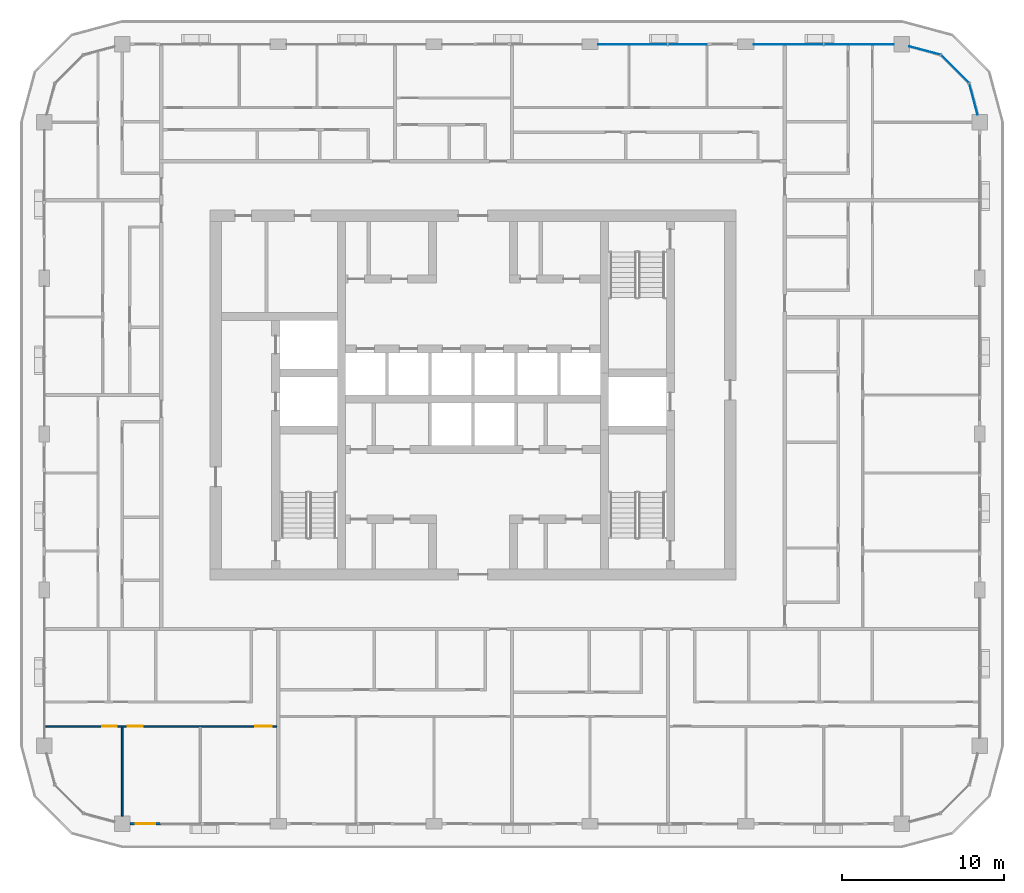
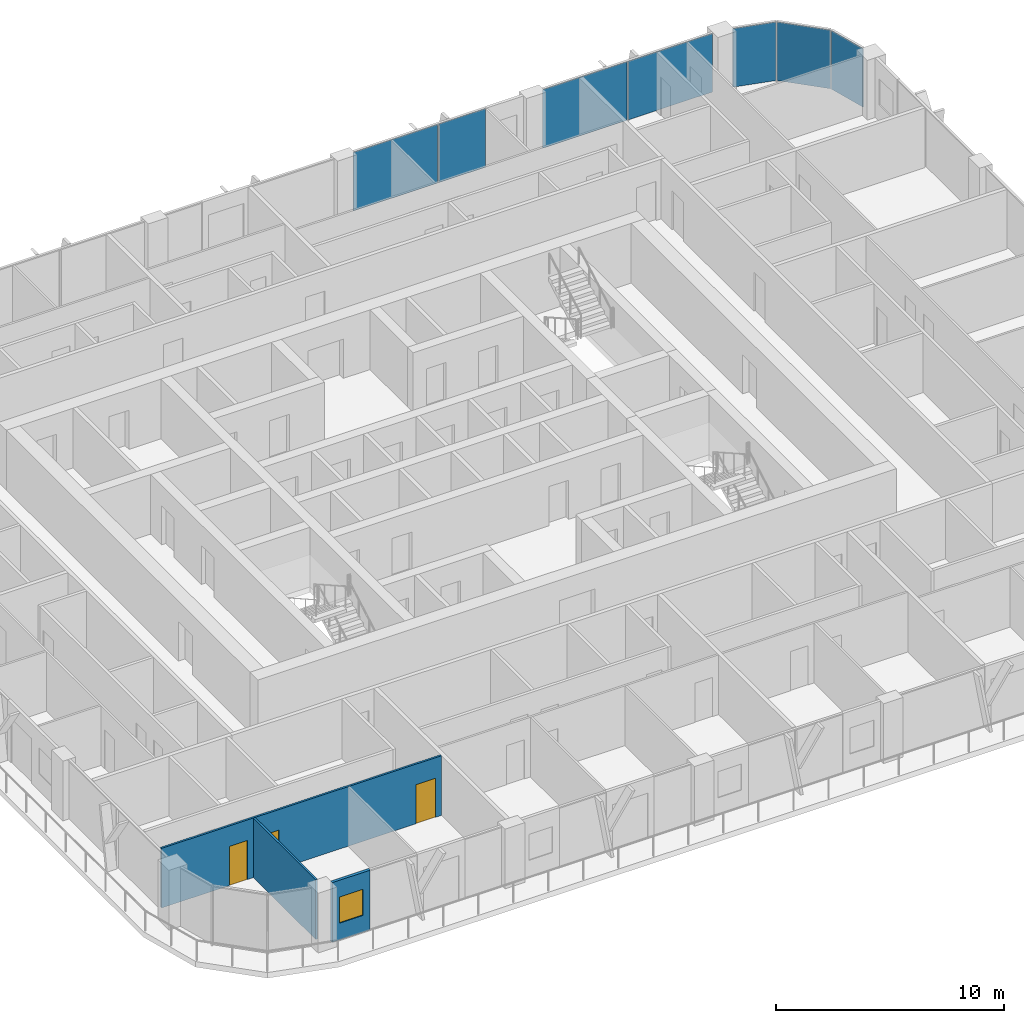
# One storey, part 8 of 22: 7 plates, 3 doors, 3 walls, 1 window, 4 openings, 3 elements without a shape of their own.
"""IFC4 building model written with IfcOpenShell, lengths in metres."""

from ifc_helpers import new_model, si_unit, direction, frame, frame_2d, origin, origin_2d, place, context, subcontext, project, spatial, rectangle, extrude, material, layer, layer_set, type_object, element, fill, aggregate, save


model = new_model("IFC4")

# Units and contexts
model_context = context("Model", 3, precision=1e-05, world=origin(), true_north=direction((0.0, 1.0)))
body_context = subcontext(model_context, "Body", "Model", "MODEL_VIEW")
ifc_project = project(units=[si_unit("LENGTHUNIT", "METRE"), si_unit("AREAUNIT", "SQUARE_METRE"), si_unit("VOLUMEUNIT", "CUBIC_METRE"), si_unit("PLANEANGLEUNIT", "RADIAN"), si_unit("MASSUNIT", "GRAM", prefix="KILO")], contexts=[model_context])

# Site, building, storey
site_placement = place(None, origin())
site = spatial("IfcSite", under=ifc_project, at=site_placement, CompositionType="ELEMENT")
building_placement = place(site_placement, origin())
building = spatial("IfcBuilding", under=site, at=building_placement, Name="Madar Terraces", CompositionType="ELEMENT")
storey_placement = place(building_placement, frame((0.0, 0.0, 178.89990234375)))
storey = spatial("IfcBuildingStorey", under=building, at=storey_placement, Name="L46", CompositionType="ELEMENT", Elevation=178.89990234375)

# Curtain wall, plates
ifc_material_1 = material(Name="Glass, ceramic frit dark grey, with black aluminium frame", Category="aluminium")
ifc_layer_1 = layer(ifc_material_1, 0.199951171875)
ifc_layer_set_1 = layer_set([ifc_layer_1], Name="Facade curtain wall, fritted glass")
curtain_wall_type = type_object("IfcCurtainWallType", Name="Facade curtain wall, fritted glass", PredefinedType="NOTDEFINED", material=ifc_layer_set_1)
curtain_wall_1_placement = place(storey_placement, origin())
curtain_wall_1 = element("IfcCurtainWall", 1, at=curtain_wall_1_placement, inside=storey, type_object=curtain_wall_type, Name="Outer skin curtain wall north bay 1", PredefinedType="NOTDEFINED")
ifc_material_2 = material(Name="Glass, ceramic frit dark grey", Category="glass")
ifc_layer_2 = layer(ifc_material_2, 0.028076171875)
ifc_layer_set_2 = layer_set([ifc_layer_2], Name="Facade glass panel 28")
plate_type = type_object("IfcPlateType", Name="Facade glass panel 28", PredefinedType="CURTAIN_PANEL", material=ifc_layer_set_2)
plate_1_placement = place(storey_placement, frame((54.9775390625, 48.0, 0.0), z_axis=(0.0, 0.0, 1.0), x_axis=(-1.0, 0.0, 0.0)))
plate_1 = element("IfcPlate", 2, at=plate_1_placement, type_object=plate_type, Name="Panel 1", PredefinedType="CURTAIN_PANEL", context=body_context, shape_type="SweptSolid", body=[
    extrude(rectangle(XDim=4.294921875, YDim=0.028076171875, at=origin_2d()), origin(), (0.0, 0.0, 1.0), 3.139892578125),
])
plate_2_placement = place(storey_placement, frame((50.635009765625, 48.0, 0.0), z_axis=(0.0, 0.0, 1.0), x_axis=(-1.0, 0.0, 0.0)))
plate_2 = element("IfcPlate", 3, at=plate_2_placement, type_object=plate_type, Name="Panel 2", PredefinedType="CURTAIN_PANEL", context=body_context, shape_type="SweptSolid", body=[
    extrude(rectangle(XDim=4.27001953125, YDim=0.028076171875, at=origin_2d()), origin(), (0.0, 0.0, 1.0), 3.139892578125),
])
aggregate(curtain_wall_1, [plate_1, plate_2])

curtain_wall_2_placement = place(storey_placement, origin())
curtain_wall_2 = element("IfcCurtainWall", 4, at=curtain_wall_2_placement, inside=storey, type_object=curtain_wall_type, Name="Outer skin curtain wall north bay 2", PredefinedType="NOTDEFINED")
plate_3_placement = place(storey_placement, frame((44.4150390625, 48.0, 0.0), z_axis=(0.0, 0.0, 1.0), x_axis=(-1.0, 0.0, 0.0)))
plate_3 = element("IfcPlate", 5, at=plate_3_placement, type_object=plate_type, Name="Panel 1", PredefinedType="CURTAIN_PANEL", context=body_context, shape_type="SweptSolid", body=[
    extrude(rectangle(XDim=2.3701171875, YDim=0.028076171875, at=origin_2d()), origin(), (0.0, 0.0, 1.0), 3.139892578125),
])
plate_4_placement = place(storey_placement, frame((41.034912109375, 48.0, 0.0), z_axis=(0.0, 0.0, 1.0), x_axis=(-1.0, 0.0, 0.0)))
plate_4 = element("IfcPlate", 6, at=plate_4_placement, type_object=plate_type, Name="Panel 2", PredefinedType="CURTAIN_PANEL", context=body_context, shape_type="SweptSolid", body=[
    extrude(rectangle(XDim=4.27001953125, YDim=0.028076171875, at=origin_2d()), origin(), (0.0, 0.0, 1.0), 3.139892578125),
])
aggregate(curtain_wall_2, [plate_3, plate_4])

curtain_wall_3_placement = place(storey_placement, origin())
curtain_wall_3 = element("IfcCurtainWall", 7, at=curtain_wall_3_placement, inside=storey, type_object=curtain_wall_type, Name="Outer skin curtain wall north-east corner", PredefinedType="NOTDEFINED")
plate_5_placement = place(storey_placement, frame((62.018798828125, 44.623046875, 0.0), z_axis=(0.0, 0.0, 1.0), x_axis=(-0.258819021888, 0.965925832509, 0.0)))
plate_5 = element("IfcPlate", 8, at=plate_5_placement, type_object=plate_type, Name="Panel 1", PredefinedType="CURTAIN_PANEL", context=body_context, shape_type="SweptSolid", body=[
    extrude(rectangle(XDim=1.962890625, YDim=0.028076171875, at=origin_2d()), origin(), (0.0, 0.0, 1.0), 3.139892578125),
])
plate_6_placement = place(storey_placement, frame((60.87841796875, 46.478515625, 0.0), z_axis=(0.0, 0.0, 1.0), x_axis=(-0.707106781187, 0.707106781187, 0.0)))
plate_6 = element("IfcPlate", 9, at=plate_6_placement, type_object=plate_type, Name="Panel 2", PredefinedType="CURTAIN_PANEL", context=body_context, shape_type="SweptSolid", body=[
    extrude(rectangle(XDim=2.424560546875, YDim=0.028076171875, at=origin_2d()), origin(), (0.0, 0.0, 1.0), 3.139892578125),
])
plate_7_placement = place(storey_placement, frame((59.02294921875, 47.61865234375, 0.0), z_axis=(0.0, 0.0, 1.0), x_axis=(-0.965925832509, 0.258819021888, 0.0)))
plate_7 = element("IfcPlate", 10, at=plate_7_placement, type_object=plate_type, Name="Panel 3", PredefinedType="CURTAIN_PANEL", context=body_context, shape_type="SweptSolid", body=[
    extrude(rectangle(XDim=1.962890625, YDim=0.028076171875, at=origin_2d()), origin(), (0.0, 0.0, 1.0), 3.139892578125),
])
aggregate(curtain_wall_3, [plate_5, plate_6, plate_7])

# Wall, opening, window
ifc_material_3 = material(Name="Aluminium composite panel, black, over insulated backing", Category="aluminium")
ifc_layer_3 = layer(ifc_material_3, 0.14990234375)
ifc_layer_set_3 = layer_set([ifc_layer_3], Name="Facade bay panel 150")
wall_type_1 = type_object("IfcWallType", Name="Facade bay panel 150", PredefinedType="SOLIDWALL", material=ifc_layer_set_3)
wall_1_placement = place(storey_placement, frame((10.074951171875, 0.0, 0.0), z_axis=(0.0, 0.0, 1.0), x_axis=(1.0, 0.0, 0.0)))
wall_1 = element("IfcWall", 11, at=wall_1_placement, inside=storey, type_object=wall_type_1, Name="Facade bay panel", PredefinedType="SOLIDWALL", context=body_context, shape_type="SweptSolid", body=[
    extrude(rectangle(XDim=1.925048828125, YDim=0.14990234375, at=frame_2d((0.96240234375, 0.0))), origin(), (0.0, 0.0, 1.0), 3.2001953125),
])
opening_1_placement = place(wall_1_placement, frame((0.362548828125, 0.0, 0.89990234375)))
opening_1 = element("IfcOpeningElement", 12, at=opening_1_placement, cuts=wall_1, Name="Opening W1", PredefinedType="OPENING", context=body_context, shape_type="SweptSolid", body=[
    extrude(rectangle(XDim=1.199951171875, YDim=1.39990234375, at=frame_2d((0.60009765625, 0.699951171875))), frame((0.0, 0.0849609375, 0.0), z_axis=(0.0, -1.0, 0.0), x_axis=(1.0, 0.0, 0.0)), (0.0, 0.0, 1.0), 0.169921875),
])
ifc_material_4 = material(Name="Glass, clear, with black aluminium frame", Category="aluminium")
window_type = type_object("IfcWindowType", Name="Vent window 1200 x 1400", PartitioningType="SINGLE_PANEL", PredefinedType="WINDOW", material=ifc_material_4)
window_placement = place(opening_1_placement, origin())
window = element("IfcWindow", 13, at=window_placement, inside=storey, type_object=window_type, Name="Operable vent window", OverallHeight=1.39990234375, OverallWidth=1.199951171875, PartitioningType="SINGLE_PANEL", PredefinedType="WINDOW", context=body_context, shape_type="SweptSolid", body=[
    extrude(rectangle(XDim=1.199951171875, YDim=1.39990234375, at=frame_2d((0.60009765625, 0.699951171875))), frame((0.0, 0.030029296875, 0.0), z_axis=(0.0, -1.0, 0.0), x_axis=(1.0, 0.0, 0.0)), (0.0, 0.0, 1.0), 0.06005859375),
])
fill(opening_1, window)

# Wall
ifc_material_5 = material(Name="Gypsum board on steel studs", Category="steel")
ifc_layer_4 = layer(ifc_material_5, 0.10009765625)
ifc_layer_set_4 = layer_set([ifc_layer_4], Name="Flat partition 100")
wall_type_2 = type_object("IfcWallType", Name="Flat partition 100", PredefinedType="PARTITIONING", material=ifc_layer_set_4)
wall_2_placement = place(storey_placement, frame((9.60009765625, 5.949951171875, 0.0), z_axis=(0.0, 0.0, 1.0), x_axis=(0.0, -1.0, 0.0)))
element("IfcWall", 14, at=wall_2_placement, inside=storey, type_object=wall_type_2, Name="Flat partition 100", PredefinedType="PARTITIONING", context=body_context, shape_type="SweptSolid", body=[
    extrude(rectangle(XDim=5.474853515625, YDim=0.10009765625, at=frame_2d((2.7373046875, 0.0))), origin(), (0.0, 0.0, 1.0), 3.2001953125),
])

# Wall, openings, doors
wall_3_placement = place(storey_placement, frame((19.10009765625, 6.0, 0.0), z_axis=(0.0, 0.0, 1.0), x_axis=(-1.0, 0.0, 0.0)))
wall_3 = element("IfcWall", 15, at=wall_3_placement, inside=storey, type_object=wall_type_2, Name="Flat partition 100", PredefinedType="PARTITIONING", context=body_context, shape_type="SweptSolid", body=[
    extrude(rectangle(XDim=14.2001953125, YDim=0.10009765625, at=frame_2d((7.10009765625, 0.0))), origin(), (0.0, 0.0, 1.0), 3.2001953125),
])
opening_2_placement = place(wall_3_placement, frame((0.300048828125, 0.0, 0.0)))
opening_2 = element("IfcOpeningElement", 16, at=opening_2_placement, cuts=wall_3, Name="Opening D3", PredefinedType="OPENING", context=body_context, shape_type="SweptSolid", body=[
    extrude(rectangle(XDim=1.0, YDim=2.10009765625, at=frame_2d((0.5, 1.050048828125))), frame((0.0, 0.06005859375, 0.0), z_axis=(0.0, -1.0, 0.0), x_axis=(1.0, 0.0, 0.0)), (0.0, 0.0, 1.0), 0.1201171875),
])
opening_3_placement = place(wall_3_placement, frame((8.25, 0.0, 0.0)))
opening_3 = element("IfcOpeningElement", 17, at=opening_3_placement, cuts=wall_3, Name="Opening D2", PredefinedType="OPENING", context=body_context, shape_type="SweptSolid", body=[
    extrude(rectangle(XDim=0.89990234375, YDim=2.10009765625, at=frame_2d((0.449951171875, 1.050048828125))), frame((0.0, 0.06005859375, 0.0), z_axis=(0.0, -1.0, 0.0), x_axis=(1.0, 0.0, 0.0)), (0.0, 0.0, 1.0), 0.1201171875),
])
opening_4_placement = place(wall_3_placement, frame((9.85009765625, 0.0, 0.0)))
opening_4 = element("IfcOpeningElement", 18, at=opening_4_placement, cuts=wall_3, Name="Opening D2", PredefinedType="OPENING", context=body_context, shape_type="SweptSolid", body=[
    extrude(rectangle(XDim=0.89990234375, YDim=2.10009765625, at=frame_2d((0.449951171875, 1.050048828125))), frame((0.0, 0.06005859375, 0.0), z_axis=(0.0, -1.0, 0.0), x_axis=(1.0, 0.0, 0.0)), (0.0, 0.0, 1.0), 0.1201171875),
])
ifc_material_6 = material(Name="Timber door leaf", Category="wood")
door_type_1 = type_object("IfcDoorType", Name="Flat living room door 1000", OperationType="NOTDEFINED", PredefinedType="DOOR", material=ifc_material_6)
door_1_placement = place(opening_2_placement, origin())
door_1 = element("IfcDoor", 19, at=door_1_placement, inside=storey, type_object=door_type_1, Name="Flat living room door 1000", OperationType="SINGLE_SWING_LEFT", OverallHeight=2.10009765625, OverallWidth=1.0, PredefinedType="DOOR", context=body_context, shape_type="SweptSolid", body=[
    extrude(rectangle(XDim=1.0, YDim=2.10009765625, at=frame_2d((0.5, 1.050048828125))), frame((0.0, 0.02490234375, 0.0), z_axis=(0.0, -1.0, 0.0), x_axis=(1.0, 0.0, 0.0)), (0.0, 0.0, 1.0), 0.050048828125),
])
fill(opening_2, door_1)
ifc_material_7 = material(Name="Timber door leaf", Category="wood")
door_type_2 = type_object("IfcDoorType", Name="Flat room door 900", OperationType="NOTDEFINED", PredefinedType="DOOR", material=ifc_material_7)
door_2_placement = place(opening_3_placement, origin())
door_2 = element("IfcDoor", 20, at=door_2_placement, inside=storey, type_object=door_type_2, Name="Flat room door 900", OperationType="SINGLE_SWING_RIGHT", OverallHeight=2.10009765625, OverallWidth=0.89990234375, PredefinedType="DOOR", context=body_context, shape_type="SweptSolid", body=[
    extrude(rectangle(XDim=0.89990234375, YDim=2.10009765625, at=frame_2d((0.449951171875, 1.050048828125))), frame((0.0, 0.02490234375, 0.0), z_axis=(0.0, -1.0, 0.0), x_axis=(1.0, 0.0, 0.0)), (0.0, 0.0, 1.0), 0.050048828125),
])
fill(opening_3, door_2)
door_3_placement = place(opening_4_placement, origin())
door_3 = element("IfcDoor", 21, at=door_3_placement, inside=storey, type_object=door_type_2, Name="Flat room door 900", OperationType="SINGLE_SWING_LEFT", OverallHeight=2.10009765625, OverallWidth=0.89990234375, PredefinedType="DOOR", context=body_context, shape_type="SweptSolid", body=[
    extrude(rectangle(XDim=0.89990234375, YDim=2.10009765625, at=frame_2d((0.449951171875, 1.050048828125))), frame((0.0, 0.02490234375, 0.0), z_axis=(0.0, -1.0, 0.0), x_axis=(1.0, 0.0, 0.0)), (0.0, 0.0, 1.0), 0.050048828125),
])
fill(opening_4, door_3)

save(model, "model.ifc")
